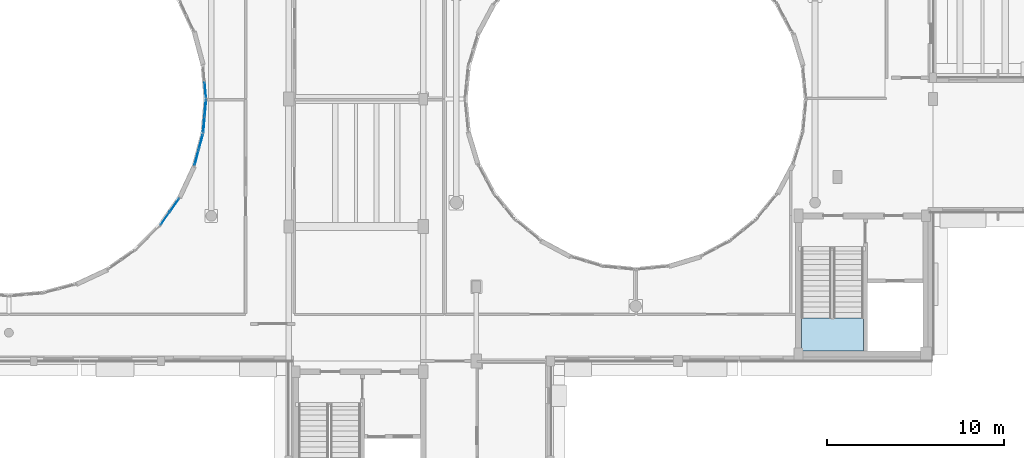
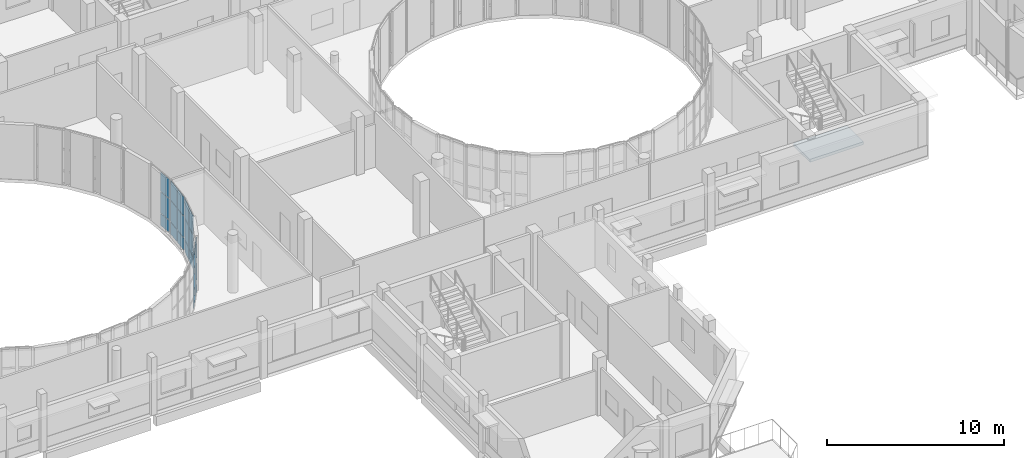
# One storey, part 57 of 92: 21 plates, 1 slab, 5 elements without a shape of their own.
"""IFC4 building model written with IfcOpenShell, lengths in metres."""

from ifc_helpers import new_model, si_unit, direction, frame, origin, origin_2d, place, context, subcontext, project, spatial, polyline, rectangle, outline, extrude, material, layer, layer_set, type_object, element, aggregate, save


model = new_model("IFC4")

# Units and contexts
model_context = context("Model", 3, precision=1e-05, world=origin(), true_north=direction((0.0, 1.0)))
body_context = subcontext(model_context, "Body", "Model", "MODEL_VIEW")
ifc_project = project(units=[si_unit("LENGTHUNIT", "METRE"), si_unit("AREAUNIT", "SQUARE_METRE"), si_unit("VOLUMEUNIT", "CUBIC_METRE"), si_unit("PLANEANGLEUNIT", "RADIAN"), si_unit("MASSUNIT", "GRAM", prefix="KILO")], contexts=[model_context])

# Site, building, storey
site_placement = place(None, origin())
site = spatial("IfcSite", under=ifc_project, at=site_placement, CompositionType="ELEMENT")
building_placement = place(site_placement, origin())
building = spatial("IfcBuilding", under=site, at=building_placement, Name="Kelanivale Promenade Academy", CompositionType="ELEMENT")
storey_placement = place(building_placement, frame((0.0, 0.0, 8.199951171875)))
storey = spatial("IfcBuildingStorey", under=building, at=storey_placement, Name="L02", CompositionType="ELEMENT", Elevation=8.199951171875)

# Curtain wall, plates
ifc_material_1 = material(Name="Bronze anodised aluminium and solar-control low-E glass", Category="aluminium")
ifc_layer_1 = layer(ifc_material_1, 0.169921875)
ifc_layer_set_1 = layer_set([ifc_layer_1], Name="Bronze anodised aluminium and solar-control low-E glass")
curtain_wall_type_1 = type_object("IfcCurtainWallType", Name="CW-07 Curtain Wall 1350mm Module", PredefinedType="USERDEFINED", material=ifc_layer_set_1)
curtain_wall_1_placement = place(storey_placement, origin())
curtain_wall_1 = element("IfcCurtainWall", 1, at=curtain_wall_1_placement, inside=storey, type_object=curtain_wall_type_1, Name="L02 courtyard curtain wall CW-07", ObjectType="UNITISED GLAZING", PredefinedType="USERDEFINED")
ifc_material_2 = material(Name="Solar-control double glazing 28 mm", Category="glass")
ifc_layer_2 = layer(ifc_material_2, 0.028076171875)
ifc_layer_set_2 = layer_set([ifc_layer_2], Name="Solar-control double glazing 28 mm")
plate_type_1 = type_object("IfcPlateType", Name="CWP-01 Plate 28mm", PredefinedType="CURTAIN_PANEL", material=ifc_layer_set_2)
plate_1_placement = place(storey_placement, frame((72.22314453125, 50.052001953125, 0.05029296875), z_axis=(0.0, 0.0, 1.0), x_axis=(0.573356527561, 0.819305982099, 0.0)))
plate_1 = element("IfcPlate", 2, at=plate_1_placement, type_object=plate_type_1, Name="CW-07 panel 1.1", PredefinedType="CURTAIN_PANEL", context=body_context, shape_type="SweptSolid", body=[
    extrude(rectangle(XDim=0.85400390625, YDim=0.028076171875, at=origin_2d()), origin(), (0.0, 0.0, 1.0), 0.824951171875),
])
plate_2_placement = place(storey_placement, frame((72.22314453125, 50.052001953125, 0.92529296875), z_axis=(0.0, 0.0, 1.0), x_axis=(0.573356527561, 0.819305982099, 0.0)))
plate_2 = element("IfcPlate", 3, at=plate_2_placement, type_object=plate_type_1, Name="CW-07 panel 1.2", PredefinedType="CURTAIN_PANEL", context=body_context, shape_type="SweptSolid", body=[
    extrude(rectangle(XDim=0.85400390625, YDim=0.028076171875, at=origin_2d()), origin(), (0.0, 0.0, 1.0), 1.449951171875),
])
plate_3_placement = place(storey_placement, frame((72.22314453125, 50.052001953125, 2.42529296875), z_axis=(0.0, 0.0, 1.0), x_axis=(0.573356527561, 0.819305982099, 0.0)))
plate_3 = element("IfcPlate", 4, at=plate_3_placement, type_object=plate_type_1, Name="CW-07 panel 1.3", PredefinedType="CURTAIN_PANEL", context=body_context, shape_type="SweptSolid", body=[
    extrude(rectangle(XDim=0.85400390625, YDim=0.028076171875, at=origin_2d()), origin(), (0.0, 0.0, 1.0), 1.304931640625),
])
plate_4_placement = place(storey_placement, frame((72.75, 50.804931640625, 0.05029296875), z_axis=(0.0, 0.0, 1.0), x_axis=(0.573356527561, 0.819305982099, 0.0)))
plate_4 = element("IfcPlate", 5, at=plate_4_placement, type_object=plate_type_1, Name="CW-07 panel 2.1", PredefinedType="CURTAIN_PANEL", context=body_context, shape_type="SweptSolid", body=[
    extrude(rectangle(XDim=0.85400390625, YDim=0.028076171875, at=origin_2d()), origin(), (0.0, 0.0, 1.0), 0.824951171875),
])
plate_5_placement = place(storey_placement, frame((72.75, 50.804931640625, 0.92529296875), z_axis=(0.0, 0.0, 1.0), x_axis=(0.573356527561, 0.819305982099, 0.0)))
plate_5 = element("IfcPlate", 6, at=plate_5_placement, type_object=plate_type_1, Name="CW-07 panel 2.2", PredefinedType="CURTAIN_PANEL", context=body_context, shape_type="SweptSolid", body=[
    extrude(rectangle(XDim=0.85400390625, YDim=0.028076171875, at=origin_2d()), origin(), (0.0, 0.0, 1.0), 1.449951171875),
])
plate_6_placement = place(storey_placement, frame((72.75, 50.804931640625, 2.42529296875), z_axis=(0.0, 0.0, 1.0), x_axis=(0.573356527561, 0.819305982099, 0.0)))
plate_6 = element("IfcPlate", 7, at=plate_6_placement, type_object=plate_type_1, Name="CW-07 panel 2.3", PredefinedType="CURTAIN_PANEL", context=body_context, shape_type="SweptSolid", body=[
    extrude(rectangle(XDim=0.85400390625, YDim=0.028076171875, at=origin_2d()), origin(), (0.0, 0.0, 1.0), 1.304931640625),
])
aggregate(curtain_wall_1, [plate_1, plate_2, plate_3, plate_4, plate_5, plate_6])

ifc_layer_3 = layer(ifc_material_1, 0.169921875)
ifc_layer_set_3 = layer_set([ifc_layer_3], Name="Bronze anodised aluminium and solar-control low-E glass")
curtain_wall_type_2 = type_object("IfcCurtainWallType", Name="CW-10 Curtain Wall 1800mm Module", PredefinedType="USERDEFINED", material=ifc_layer_set_3)
curtain_wall_2_placement = place(storey_placement, origin())
curtain_wall_2 = element("IfcCurtainWall", 8, at=curtain_wall_2_placement, inside=storey, type_object=curtain_wall_type_2, Name="L02 courtyard curtain wall CW-10", ObjectType="UNITISED GLAZING", PredefinedType="USERDEFINED")
plate_7_placement = place(storey_placement, frame((74.49609375, 57.30078125, 0.05029296875), z_axis=(0.0, 0.0, 1.0), x_axis=(-0.087264768066, 0.996185153601, 0.0)))
plate_7 = element("IfcPlate", 9, at=plate_7_placement, type_object=plate_type_1, Name="CW-10 panel 1.1", PredefinedType="CURTAIN_PANEL", context=body_context, shape_type="SweptSolid", body=[
    extrude(rectangle(XDim=0.861083984375, YDim=0.028076171875, at=origin_2d()), origin(), (0.0, 0.0, 1.0), 0.824951171875),
])
plate_8_placement = place(storey_placement, frame((74.49609375, 57.30078125, 0.92529296875), z_axis=(0.0, 0.0, 1.0), x_axis=(-0.087264768066, 0.996185153601, 0.0)))
plate_8 = element("IfcPlate", 10, at=plate_8_placement, type_object=plate_type_1, Name="CW-10 panel 1.2", PredefinedType="CURTAIN_PANEL", context=body_context, shape_type="SweptSolid", body=[
    extrude(rectangle(XDim=0.861083984375, YDim=0.028076171875, at=origin_2d()), origin(), (0.0, 0.0, 1.0), 1.449951171875),
])
plate_9_placement = place(storey_placement, frame((74.49609375, 57.30078125, 2.42529296875), z_axis=(0.0, 0.0, 1.0), x_axis=(-0.087264768066, 0.996185153601, 0.0)))
plate_9 = element("IfcPlate", 11, at=plate_9_placement, type_object=plate_type_1, Name="CW-10 panel 1.3", PredefinedType="CURTAIN_PANEL", context=body_context, shape_type="SweptSolid", body=[
    extrude(rectangle(XDim=0.861083984375, YDim=0.028076171875, at=origin_2d()), origin(), (0.0, 0.0, 1.0), 1.304931640625),
])
aggregate(curtain_wall_2, [plate_7, plate_8, plate_9])

ifc_layer_4 = layer(ifc_material_1, 0.179931640625)
ifc_layer_set_4 = layer_set([ifc_layer_4], Name="Bronze anodised aluminium and solar-control low-E glass")
curtain_wall_type_3 = type_object("IfcCurtainWallType", Name="CW-08 Curtain Wall 1500mm Module", PredefinedType="USERDEFINED", material=ifc_layer_set_4)
curtain_wall_3_placement = place(storey_placement, origin())
curtain_wall_3 = element("IfcCurtainWall", 12, at=curtain_wall_3_placement, inside=storey, type_object=curtain_wall_type_3, Name="L02 courtyard curtain wall CW-08", ObjectType="UNITISED GLAZING", PredefinedType="USERDEFINED")
ifc_material_3 = material(Name="Acoustic laminated double glazing 36 mm", Category="glass")
ifc_layer_5 = layer(ifc_material_3, 0.035888671875)
ifc_layer_set_5 = layer_set([ifc_layer_5], Name="Acoustic laminated double glazing 36 mm")
plate_type_2 = type_object("IfcPlateType", Name="CWP-02 Plate 36mm", PredefinedType="CURTAIN_PANEL", material=ifc_layer_set_5)
plate_10_placement = place(storey_placement, frame((74.003173828125, 53.4912109375, 0.06005859375), z_axis=(0.0, 0.0, 1.0), x_axis=(0.258578458902, 0.965990259056, 0.0)))
plate_10 = element("IfcPlate", 13, at=plate_10_placement, type_object=plate_type_2, Name="CW-08 panel 1.1", PredefinedType="CURTAIN_PANEL", context=body_context, shape_type="SweptSolid", body=[
    extrude(rectangle(XDim=0.853759765625, YDim=0.035888671875, at=origin_2d()), origin(), (0.0, 0.0, 1.0), 0.81005859375),
])
plate_11_placement = place(storey_placement, frame((74.003173828125, 53.4912109375, 0.93017578125), z_axis=(0.0, 0.0, 1.0), x_axis=(0.258578458902, 0.965990259056, 0.0)))
plate_11 = element("IfcPlate", 14, at=plate_11_placement, type_object=plate_type_2, Name="CW-08 panel 1.2", PredefinedType="CURTAIN_PANEL", context=body_context, shape_type="SweptSolid", body=[
    extrude(rectangle(XDim=0.853759765625, YDim=0.035888671875, at=origin_2d()), origin(), (0.0, 0.0, 1.0), 1.43994140625),
])
plate_12_placement = place(storey_placement, frame((74.003173828125, 53.4912109375, 2.429931640625), z_axis=(0.0, 0.0, 1.0), x_axis=(0.258578458902, 0.965990259056, 0.0)))
plate_12 = element("IfcPlate", 15, at=plate_12_placement, type_object=plate_type_2, Name="CW-08 panel 1.3", PredefinedType="CURTAIN_PANEL", context=body_context, shape_type="SweptSolid", body=[
    extrude(rectangle(XDim=0.853759765625, YDim=0.035888671875, at=origin_2d()), origin(), (0.0, 0.0, 1.0), 1.2900390625),
])
plate_13_placement = place(storey_placement, frame((74.24072265625, 54.37890625, 0.06005859375), z_axis=(0.0, 0.0, 1.0), x_axis=(0.258578458902, 0.965990259056, 0.0)))
plate_13 = element("IfcPlate", 16, at=plate_13_placement, type_object=plate_type_2, Name="CW-08 panel 2.1", PredefinedType="CURTAIN_PANEL", context=body_context, shape_type="SweptSolid", body=[
    extrude(rectangle(XDim=0.853759765625, YDim=0.035888671875, at=origin_2d()), origin(), (0.0, 0.0, 1.0), 0.81005859375),
])
plate_14_placement = place(storey_placement, frame((74.24072265625, 54.37890625, 0.93017578125), z_axis=(0.0, 0.0, 1.0), x_axis=(0.258578458902, 0.965990259056, 0.0)))
plate_14 = element("IfcPlate", 17, at=plate_14_placement, type_object=plate_type_2, Name="CW-08 panel 2.2", PredefinedType="CURTAIN_PANEL", context=body_context, shape_type="SweptSolid", body=[
    extrude(rectangle(XDim=0.853759765625, YDim=0.035888671875, at=origin_2d()), origin(), (0.0, 0.0, 1.0), 1.43994140625),
])
plate_15_placement = place(storey_placement, frame((74.24072265625, 54.37890625, 2.429931640625), z_axis=(0.0, 0.0, 1.0), x_axis=(0.258578458902, 0.965990259056, 0.0)))
plate_15 = element("IfcPlate", 18, at=plate_15_placement, type_object=plate_type_2, Name="CW-08 panel 2.3", PredefinedType="CURTAIN_PANEL", context=body_context, shape_type="SweptSolid", body=[
    extrude(rectangle(XDim=0.853759765625, YDim=0.035888671875, at=origin_2d()), origin(), (0.0, 0.0, 1.0), 1.2900390625),
])
aggregate(curtain_wall_3, [plate_10, plate_11, plate_12, plate_13, plate_14, plate_15])

ifc_layer_6 = layer(ifc_material_1, 0.159912109375)
ifc_layer_set_6 = layer_set([ifc_layer_6], Name="Bronze anodised aluminium and solar-control low-E glass")
curtain_wall_type_4 = type_object("IfcCurtainWallType", Name="CW-09 Curtain Wall 1650mm Module", PredefinedType="USERDEFINED", material=ifc_layer_set_6)
curtain_wall_4_placement = place(storey_placement, origin())
curtain_wall_4 = element("IfcCurtainWall", 19, at=curtain_wall_4_placement, inside=storey, type_object=curtain_wall_type_4, Name="L02 courtyard curtain wall CW-09", ObjectType="UNITISED GLAZING", PredefinedType="USERDEFINED")
ifc_material_4 = material(Name="Insulated bronze aluminium spandrel panel 44 mm", Category="aluminium")
ifc_layer_7 = layer(ifc_material_4, 0.0439453125)
ifc_layer_set_7 = layer_set([ifc_layer_7], Name="Insulated bronze aluminium spandrel panel 44 mm")
plate_type_3 = type_object("IfcPlateType", Name="CWP-03 Plate 44mm", PredefinedType="CURTAIN_PANEL", material=ifc_layer_set_7)
plate_16_placement = place(storey_placement, frame((74.4150390625, 55.370361328125, 0.05029296875), z_axis=(0.0, 0.0, 1.0), x_axis=(0.087102249164, 0.996199376727, 0.0)))
plate_16 = element("IfcPlate", 20, at=plate_16_placement, type_object=plate_type_3, Name="CW-09 panel 1.1", PredefinedType="CURTAIN_PANEL", context=body_context, shape_type="SweptSolid", body=[
    extrude(rectangle(XDim=0.86865234375, YDim=0.0439453125, at=origin_2d()), origin(), (0.0, 0.0, 1.0), 0.824951171875),
])
plate_17_placement = place(storey_placement, frame((74.4150390625, 55.370361328125, 0.92529296875), z_axis=(0.0, 0.0, 1.0), x_axis=(0.087102249164, 0.996199376727, 0.0)))
plate_17 = element("IfcPlate", 21, at=plate_17_placement, type_object=plate_type_3, Name="CW-09 panel 1.2", PredefinedType="CURTAIN_PANEL", context=body_context, shape_type="SweptSolid", body=[
    extrude(rectangle(XDim=0.86865234375, YDim=0.0439453125, at=origin_2d()), origin(), (0.0, 0.0, 1.0), 1.449951171875),
])
plate_18_placement = place(storey_placement, frame((74.4150390625, 55.370361328125, 2.42529296875), z_axis=(0.0, 0.0, 1.0), x_axis=(0.087102249164, 0.996199376727, 0.0)))
plate_18 = element("IfcPlate", 22, at=plate_18_placement, type_object=plate_type_3, Name="CW-09 panel 1.3", PredefinedType="CURTAIN_PANEL", context=body_context, shape_type="SweptSolid", body=[
    extrude(rectangle(XDim=0.86865234375, YDim=0.0439453125, at=origin_2d()), origin(), (0.0, 0.0, 1.0), 1.304931640625),
])
plate_19_placement = place(storey_placement, frame((74.495849609375, 56.295654296875, 0.05029296875), z_axis=(0.0, 0.0, 1.0), x_axis=(0.087102249164, 0.996199376727, 0.0)))
plate_19 = element("IfcPlate", 23, at=plate_19_placement, type_object=plate_type_3, Name="CW-09 panel 2.1", PredefinedType="CURTAIN_PANEL", context=body_context, shape_type="SweptSolid", body=[
    extrude(rectangle(XDim=0.86865234375, YDim=0.0439453125, at=origin_2d()), origin(), (0.0, 0.0, 1.0), 0.824951171875),
])
plate_20_placement = place(storey_placement, frame((74.495849609375, 56.295654296875, 0.92529296875), z_axis=(0.0, 0.0, 1.0), x_axis=(0.087102249164, 0.996199376727, 0.0)))
plate_20 = element("IfcPlate", 24, at=plate_20_placement, type_object=plate_type_3, Name="CW-09 panel 2.2", PredefinedType="CURTAIN_PANEL", context=body_context, shape_type="SweptSolid", body=[
    extrude(rectangle(XDim=0.86865234375, YDim=0.0439453125, at=origin_2d()), origin(), (0.0, 0.0, 1.0), 1.449951171875),
])
plate_21_placement = place(storey_placement, frame((74.495849609375, 56.295654296875, 2.42529296875), z_axis=(0.0, 0.0, 1.0), x_axis=(0.087102249164, 0.996199376727, 0.0)))
plate_21 = element("IfcPlate", 25, at=plate_21_placement, type_object=plate_type_3, Name="CW-09 panel 2.3", PredefinedType="CURTAIN_PANEL", context=body_context, shape_type="SweptSolid", body=[
    extrude(rectangle(XDim=0.86865234375, YDim=0.0439453125, at=origin_2d()), origin(), (0.0, 0.0, 1.0), 1.304931640625),
])
aggregate(curtain_wall_4, [plate_16, plate_17, plate_18, plate_19, plate_20, plate_21])

# Stair, slab
ifc_material_5 = material(Name="Concrete C35/45", Category="concrete")
stair_type = type_object("IfcStairType", Name="ST-T02 Protected dog-leg upper-storey stair", PredefinedType="HALF_TURN_STAIR", material=ifc_material_5)
stair_placement = place(storey_placement, origin())
stair = element("IfcStair", 26, at=stair_placement, inside=storey, type_object=stair_type, Name="L02 ST-03", PredefinedType="HALF_TURN_STAIR")
ifc_layer_8 = layer(ifc_material_5, 0.199951171875)
ifc_layer_set_8 = layer_set([ifc_layer_8], Name="Concrete C35/45")
slab_type = type_object("IfcSlabType", Name="LS-01 Slab 200mm", PredefinedType="LANDING", material=ifc_layer_set_8)
slab_placement = place(storey_placement, frame((0.0, 0.0, 1.800048828125)))
slab = element("IfcSlab", 27, at=slab_placement, type_object=slab_type, Name="ST-03 landing 1", PredefinedType="LANDING", context=body_context, shape_type="SweptSolid", body=[
    extrude(outline(polyline([(108.1650390625, 44.445068359375), (108.1650390625, 42.56494140625), (111.6650390625, 42.56494140625), (111.6650390625, 44.445068359375), (108.1650390625, 44.445068359375)])), origin(), (0.0, 0.0, 1.0), 0.199951171875),
])
aggregate(stair, [slab])

save(model, "model.ifc")
